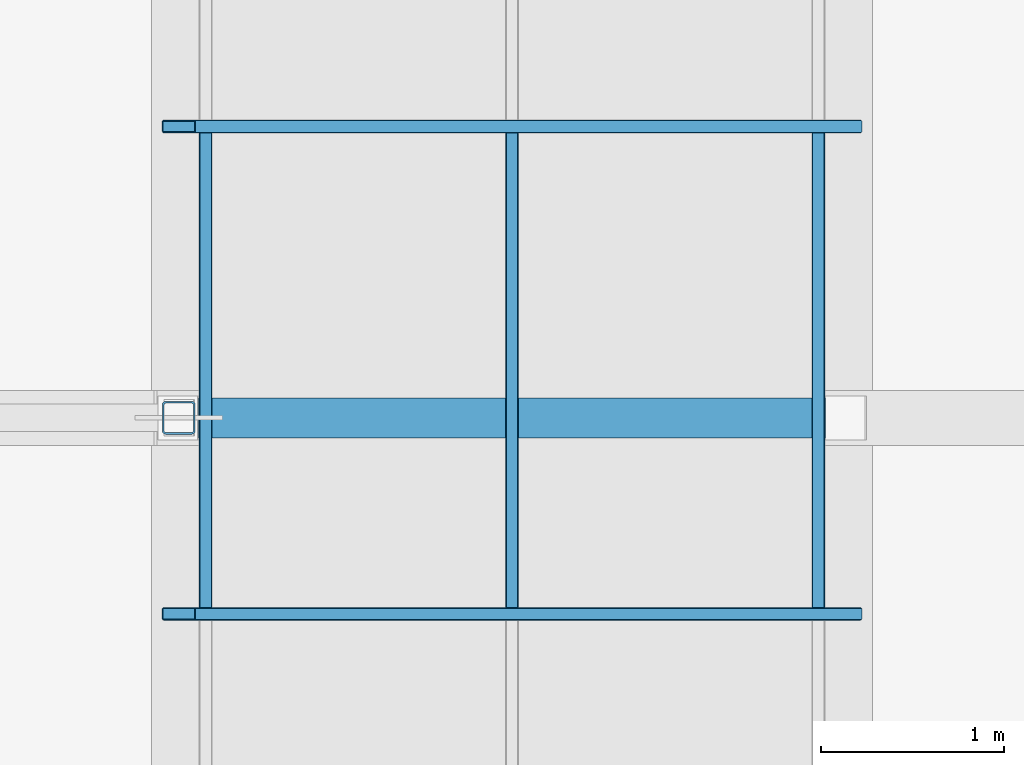
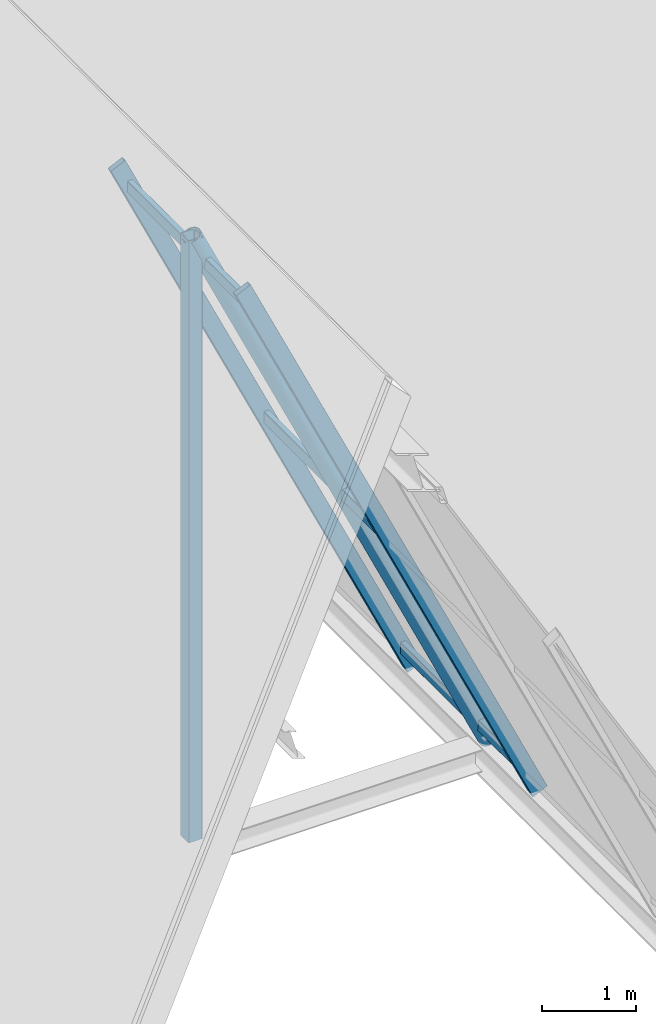
# One storey, part 18 of 99: 7 members, 1 element without a shape of its own.
"""IFC4 building model written with IfcOpenShell, lengths in metres."""

from ifc_helpers import new_model, si_unit, direction, frame, origin, origin_2d, place, context, subcontext, project, spatial, hollow_rectangle, hollow_circle, extrude, material, material_profile, profile_set, type_object, element, aggregate, save


model = new_model("IFC4")

# Units and contexts
model_context = context("Model", 3, precision=1e-05, world=origin(), true_north=direction((0.0, 1.0)))
body_context = subcontext(model_context, "Body", "Model", "MODEL_VIEW")
ifc_project = project(units=[si_unit("LENGTHUNIT", "METRE"), si_unit("AREAUNIT", "SQUARE_METRE"), si_unit("VOLUMEUNIT", "CUBIC_METRE"), si_unit("PLANEANGLEUNIT", "RADIAN"), si_unit("MASSUNIT", "GRAM", prefix="KILO")], contexts=[model_context])

# Site, building, storey
site_placement = place(None, origin())
site = spatial("IfcSite", under=ifc_project, at=site_placement, CompositionType="ELEMENT")
building_placement = place(site_placement, origin())
building = spatial("IfcBuilding", under=site, at=building_placement, Name="Bramveld Media Centre", CompositionType="ELEMENT")
storey_placement = place(building_placement, frame((0.0, 0.0, 13.800048828125)))
storey = spatial("IfcBuildingStorey", under=building, at=storey_placement, Name="L03", CompositionType="ELEMENT", Elevation=13.800048828125)

# Curtain wall, members
ifc_material_1 = material(Name="Thermally broken anodized bronze aluminium unitized curtain wall with solar-control triple glazing", Category="aluminium")
curtain_wall_type = type_object("IfcCurtainWallType", Name="CW-SAW-13300x8606", PredefinedType="NOTDEFINED", material=ifc_material_1)
curtain_wall_placement = place(storey_placement, origin())
curtain_wall = element("IfcCurtainWall", 1, at=curtain_wall_placement, inside=storey, type_object=curtain_wall_type, Name="V2 sawtooth north-light clerestory B5-S1", PredefinedType="NOTDEFINED")
ifc_material_2 = material(Name="Thermally broken anodized bronze aluminium EN AW-6063 T6 curtain-wall framing", Category="aluminium")
ifc_material_profile_1 = material_profile(ifc_material_2, hollow_rectangle(XDim=0.070068359375, YDim=0.199951171875, WallThickness=0.00439453125, InnerFilletRadius=0.00439453125, OuterFilletRadius=0.009033203125, at=origin_2d()), Name="AL-MULL 70x200")
ifc_profile_set_1 = profile_set([ifc_material_profile_1], Name="Thermally broken anodized bronze aluminium EN AW-6063 T6 curtain-wall framing")
member_type_1 = type_object("IfcMemberType", Name="CW-MULL-SLP", PredefinedType="MULLION", material=ifc_profile_set_1)
member_1_placement = place(storey_placement, frame((48.0, 8.530029296875, -0.02001953125), z_axis=(-0.423956992265, 0.0, 0.90568232218), x_axis=(0.0, -1.0, 0.0)))
member_1 = element("IfcMember", 2, at=member_1_placement, type_object=member_type_1, Name="CW-SA-13386 sloped mullion 4", PredefinedType="MULLION", context=body_context, shape_type="SweptSolid", body=[
    extrude(hollow_rectangle(XDim=0.070068359375, YDim=0.199951171875, WallThickness=0.00439453125, InnerFilletRadius=0.00439453125, OuterFilletRadius=0.009033203125, at=origin_2d()), origin(), (0.0, 0.0, 1.0), 8.5791015625),
])
member_2_placement = place(storey_placement, frame((48.0, 11.18994140625, -0.02001953125), z_axis=(-0.423956992265, 0.0, 0.90568232218), x_axis=(0.0, -1.0, 0.0)))
member_2 = element("IfcMember", 3, at=member_2_placement, type_object=member_type_1, Name="CW-SA-13386 sloped mullion 5", PredefinedType="MULLION", context=body_context, shape_type="SweptSolid", body=[
    extrude(hollow_rectangle(XDim=0.070068359375, YDim=0.199951171875, WallThickness=0.00439453125, InnerFilletRadius=0.00439453125, OuterFilletRadius=0.009033203125, at=origin_2d()), origin(), (0.0, 0.0, 1.0), 8.5791015625),
])
ifc_material_3 = material(Name="Thermally broken anodized bronze aluminium EN AW-6063 T6 curtain-wall framing", Category="aluminium")
ifc_material_profile_2 = material_profile(ifc_material_3, hollow_rectangle(XDim=0.070068359375, YDim=0.14990234375, WallThickness=0.00390625, InnerFilletRadius=0.00390625, OuterFilletRadius=0.008056640625, at=origin_2d()), Name="AL-TRAN 70x150")
ifc_profile_set_2 = profile_set([ifc_material_profile_2], Name="Thermally broken anodized bronze aluminium EN AW-6063 T6 curtain-wall framing")
member_type_2 = type_object("IfcMemberType", Name="CW-TRAN-SLP", PredefinedType="USERDEFINED", material=ifc_profile_set_2)
member_3_placement = place(storey_placement, frame((47.8544921875, 8.56494140625, 0.290771484375), z_axis=(0.0, 1.0, 0.0), x_axis=(-1.0, 0.0, 0.0)))
member_3 = element("IfcMember", 4, at=member_3_placement, type_object=member_type_2, Name="CW-SA-13386 transom 4.1", ObjectType="TRANSOM", PredefinedType="USERDEFINED", context=body_context, shape_type="SweptSolid", body=[
    extrude(hollow_rectangle(XDim=0.070068359375, YDim=0.14990234375, WallThickness=0.00390625, InnerFilletRadius=0.00390625, OuterFilletRadius=0.008056640625, at=origin_2d()), origin(), (0.0, 0.0, 1.0), 2.590087890625),
])
member_4_placement = place(storey_placement, frame((46.181396484375, 8.56494140625, 3.864990234375), z_axis=(0.0, 1.0, 0.0), x_axis=(-1.0, 0.0, 0.0)))
member_4 = element("IfcMember", 5, at=member_4_placement, type_object=member_type_2, Name="CW-SA-13386 transom 4.2", ObjectType="TRANSOM", PredefinedType="USERDEFINED", context=body_context, shape_type="SweptSolid", body=[
    extrude(hollow_rectangle(XDim=0.070068359375, YDim=0.14990234375, WallThickness=0.00390625, InnerFilletRadius=0.00390625, OuterFilletRadius=0.008056640625, at=origin_2d()), origin(), (0.0, 0.0, 1.0), 2.590087890625),
])
member_5_placement = place(storey_placement, frame((44.50830078125, 8.56494140625, 7.439208984375), z_axis=(0.0, 1.0, 0.0), x_axis=(-1.0, 0.0, 0.0)))
member_5 = element("IfcMember", 6, at=member_5_placement, type_object=member_type_2, Name="CW-SA-13386 transom 4.3", ObjectType="TRANSOM", PredefinedType="USERDEFINED", context=body_context, shape_type="SweptSolid", body=[
    extrude(hollow_rectangle(XDim=0.070068359375, YDim=0.14990234375, WallThickness=0.00390625, InnerFilletRadius=0.00390625, OuterFilletRadius=0.008056640625, at=origin_2d()), origin(), (0.0, 0.0, 1.0), 2.590087890625),
])
aggregate(curtain_wall, [member_1, member_2, member_3, member_4, member_5])

# Members
ifc_material_4 = material(Name="Steel S355J2H", Category="steel")
ifc_material_profile_3 = material_profile(ifc_material_4, hollow_circle(Radius=0.109619140625, WallThickness=0.012451171875, at=origin_2d()), Name="CHS 219.1x12.5")
ifc_profile_set_3 = profile_set([ifc_material_profile_3], Name="Steel S355J2H")
member_type_3 = type_object("IfcMemberType", Name="MEM-BRACE-CHS219", PredefinedType="BRACE", material=ifc_profile_set_3)
member_6_placement = place(storey_placement, frame((48.0, 9.60009765625, 0.0), z_axis=(-0.422616785161, 0.0, 0.906308475575), x_axis=(0.0, -1.0, 0.0)))
element("IfcMember", 7, at=member_6_placement, inside=storey, type_object=member_type_3, Name="TRUSS-V2-B05-F2 north-light strut", PredefinedType="BRACE", context=body_context, shape_type="SweptSolid", body=[
    extrude(hollow_circle(Radius=0.109619140625, WallThickness=0.012451171875, at=origin_2d()), origin(), (0.0, 0.0, 1.0), 8.6064453125),
])
ifc_material_5 = material(Name="Steel S355J2H", Category="steel")
ifc_material_profile_4 = material_profile(ifc_material_5, hollow_rectangle(XDim=0.179931640625, YDim=0.179931640625, WallThickness=0.010009765625, InnerFilletRadius=0.010009765625, OuterFilletRadius=0.02001953125, at=origin_2d()), Name="SHS 180x180x10")
ifc_profile_set_4 = profile_set([ifc_material_profile_4], Name="Steel S355J2H")
member_type_4 = type_object("IfcMemberType", Name="MEM-POST-SHS180", PredefinedType="POST", material=ifc_profile_set_4)
member_7_placement = place(storey_placement, frame((44.36279296875, 9.60009765625, 0.0), z_axis=(0.0, 0.0, 1.0), x_axis=(1.0, 0.0, 0.0)))
element("IfcMember", 8, at=member_7_placement, inside=storey, type_object=member_type_4, Name="TRUSS-V2-B05-F2 kingpost", PredefinedType="POST", context=body_context, shape_type="SweptSolid", body=[
    extrude(hollow_rectangle(XDim=0.179931640625, YDim=0.179931640625, WallThickness=0.010009765625, InnerFilletRadius=0.010009765625, OuterFilletRadius=0.02001953125, at=origin_2d()), origin(), (0.0, 0.0, 1.0), 7.800048828125),
])

save(model, "model.ifc")
